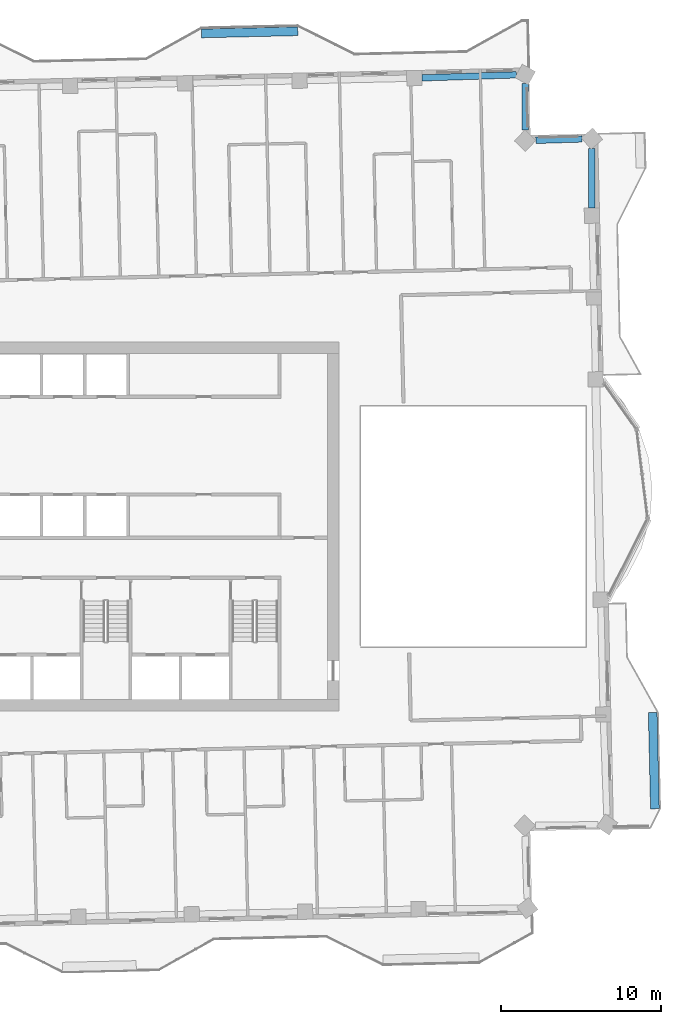
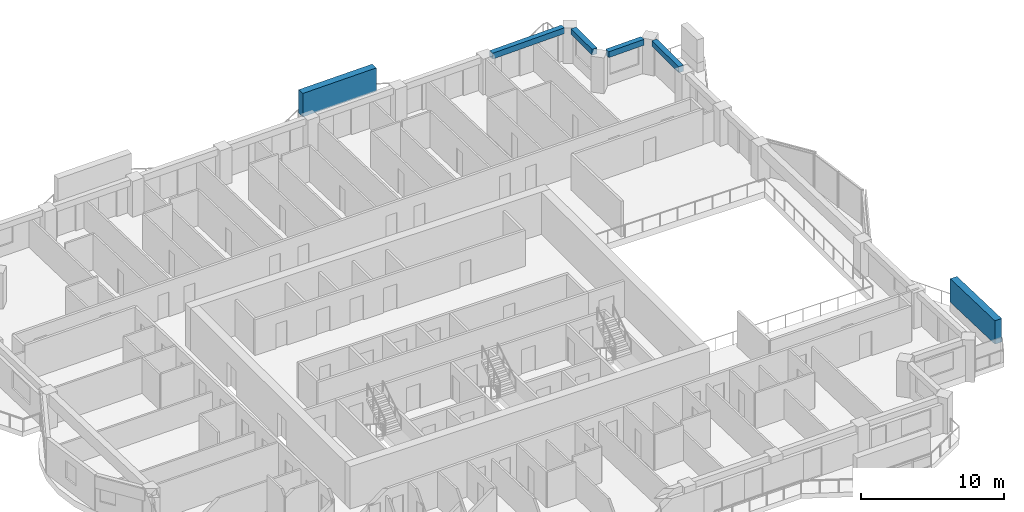
# One storey, part 5 of 19: 4 beams, 2 members.
"""IFC4 building model written with IfcOpenShell, lengths in metres."""

from ifc_helpers import new_model, si_unit, direction, frame, origin, origin_2d, place, context, subcontext, project, spatial, rectangle, extrude, material, material_profile, profile_set, type_object, element, save


model = new_model("IFC4")

# Units and contexts
model_context = context("Model", 3, precision=1e-05, world=origin(), true_north=direction((0.0, 1.0)))
body_context = subcontext(model_context, "Body", "Model", "MODEL_VIEW")
ifc_project = project(units=[si_unit("LENGTHUNIT", "METRE"), si_unit("AREAUNIT", "SQUARE_METRE"), si_unit("VOLUMEUNIT", "CUBIC_METRE"), si_unit("PLANEANGLEUNIT", "RADIAN"), si_unit("MASSUNIT", "GRAM", prefix="KILO")], contexts=[model_context])

# Site, building, storey
site_placement = place(None, origin())
site = spatial("IfcSite", under=ifc_project, at=site_placement, CompositionType="ELEMENT")
building_placement = place(site_placement, origin())
building = spatial("IfcBuilding", under=site, at=building_placement, Name="Mangrove Gate Tower", CompositionType="ELEMENT")
storey_placement = place(building_placement, frame((0.0, 0.0, 283.5)))
storey = spatial("IfcBuildingStorey", under=building, at=storey_placement, Name="L72", CompositionType="ELEMENT", Elevation=283.5)

# Members
ifc_material_1 = material(Name="Planting on aluminium trellis", Category="aluminium")
ifc_material_profile_1 = material_profile(ifc_material_1, rectangle(XDim=0.550048828125, YDim=2.0, at=origin_2d()))
ifc_profile_set_1 = profile_set([ifc_material_profile_1], Name="Planting on aluminium trellis")
member_type = type_object("IfcMemberType", Name="Balcony greenery screen 550x2000", PredefinedType="USERDEFINED", material=ifc_profile_set_1)
member_1_placement = place(storey_placement, frame((34.22802734375, -17.614013671875, 1.800048828125), z_axis=(-0.022665943652, 0.999743094499, 0.0), x_axis=(-0.999743094499, -0.022665943652, 0.0)))
element("IfcMember", 1, at=member_1_placement, inside=storey, type_object=member_type, Name="GREEN SCREEN L72 E0.1", ObjectType="PLANTING", PredefinedType="USERDEFINED", context=body_context, shape_type="SweptSolid", body=[
    extrude(rectangle(XDim=0.550048828125, YDim=2.0, at=origin_2d()), origin(), (0.0, 0.0, 1.0), 5.99951171875),
])
member_2_placement = place(storey_placement, frame((5.93994140625, 30.77099609375, 1.800048828125), z_axis=(0.999743178102, 0.022662255828, 0.0), x_axis=(-0.022662255828, 0.999743178102, 0.0)))
element("IfcMember", 2, at=member_2_placement, inside=storey, type_object=member_type, Name="GREEN SCREEN L72 N0.1", ObjectType="PLANTING", PredefinedType="USERDEFINED", context=body_context, shape_type="SweptSolid", body=[
    extrude(rectangle(XDim=0.550048828125, YDim=2.0, at=origin_2d()), origin(), (0.0, 0.0, 1.0), 6.00048828125),
])

# Beams
ifc_material_2 = material(Name="Concrete C50/60", Category="concrete")
ifc_material_profile_2 = material_profile(ifc_material_2, rectangle(XDim=0.39990234375, YDim=0.5, at=origin_2d()))
ifc_profile_set_2 = profile_set([ifc_material_profile_2], Name="Concrete C50/60")
beam_type = type_object("IfcBeamType", Name="Edge beam RC 400x500 C50/60", PredefinedType="BEAM", material=ifc_profile_set_2)
beam_1_placement = place(storey_placement, frame((30.298095703125, 19.872314453125, 2.800048828125), z_axis=(-0.000263504602, 0.999999965283, 0.0), x_axis=(-0.999999965283, -0.000263504602, 0.0)))
element("IfcBeam", 3, at=beam_1_placement, inside=storey, type_object=beam_type, Name="Edge beam L72 19", PredefinedType="BEAM", context=body_context, shape_type="SweptSolid", body=[
    extrude(rectangle(XDim=0.39990234375, YDim=0.5, at=origin_2d()), origin(), (0.0, 0.0, 1.0), 3.7060546875),
])
beam_2_placement = place(storey_placement, frame((29.6865234375, 24.186279296875, 2.800048828125), z_axis=(-0.99952516479, -0.030813064624, 0.0), x_axis=(0.030813064624, -0.99952516479, 0.0)))
element("IfcBeam", 4, at=beam_2_placement, inside=storey, type_object=beam_type, Name="Edge beam L72 20", PredefinedType="BEAM", context=body_context, shape_type="SweptSolid", body=[
    extrude(rectangle(XDim=0.39990234375, YDim=0.5, at=origin_2d()), origin(), (0.0, 0.0, 1.0), 2.89208984375),
])
beam_3_placement = place(storey_placement, frame((26.130126953125, 24.7333984375, 2.800048828125), z_axis=(0.00058381975, 0.999999829577, 0.0), x_axis=(-0.999999829577, 0.00058381975, 0.0)))
element("IfcBeam", 5, at=beam_3_placement, inside=storey, type_object=beam_type, Name="Edge beam L72 21", PredefinedType="BEAM", context=body_context, shape_type="SweptSolid", body=[
    extrude(rectangle(XDim=0.39990234375, YDim=0.5, at=origin_2d()), origin(), (0.0, 0.0, 1.0), 2.92724609375),
])
beam_4_placement = place(storey_placement, frame((25.57861328125, 28.18603515625, 2.800048828125), z_axis=(-0.999481964138, -0.032183899135, 0.0), x_axis=(0.032183899135, -0.999481964138, 0.0)))
element("IfcBeam", 6, at=beam_4_placement, inside=storey, type_object=beam_type, Name="Edge beam L72 22", PredefinedType="BEAM", context=body_context, shape_type="SweptSolid", body=[
    extrude(rectangle(XDim=0.39990234375, YDim=0.5, at=origin_2d()), origin(), (0.0, 0.0, 1.0), 5.894287109375),
])

save(model, "model.ifc")
